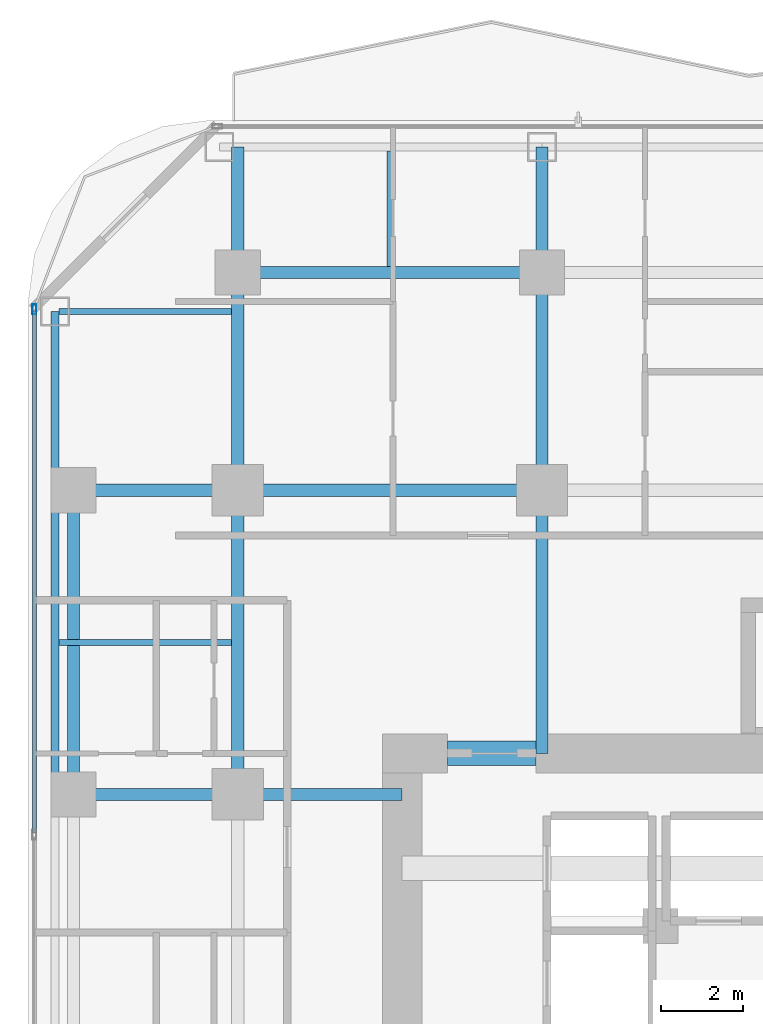
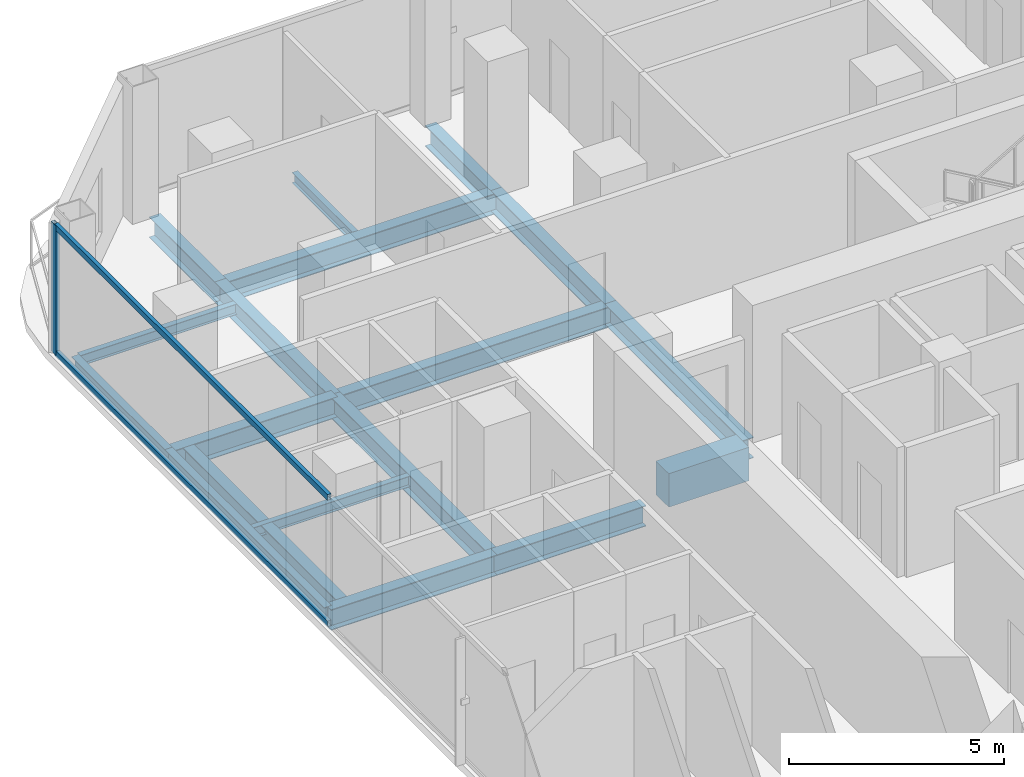
# One storey, part 9 of 29: 18 beams, 3 members, 1 element without a shape of its own.
"""IFC4 building model written with IfcOpenShell, lengths in metres."""

from ifc_helpers import new_model, si_unit, direction, frame, origin, origin_2d, place, context, subcontext, project, spatial, rectangle, hollow_rectangle, i_section, extrude, material, layer, layer_set, material_profile, profile_set, type_object, element, aggregate, save


model = new_model("IFC4")

# Units and contexts
model_context = context("Model", 3, precision=1e-05, world=origin(), true_north=direction((0.0, 1.0)))
body_context = subcontext(model_context, "Body", "Model", "MODEL_VIEW")
ifc_project = project(units=[si_unit("LENGTHUNIT", "METRE"), si_unit("AREAUNIT", "SQUARE_METRE"), si_unit("VOLUMEUNIT", "CUBIC_METRE"), si_unit("PLANEANGLEUNIT", "RADIAN"), si_unit("MASSUNIT", "GRAM", prefix="KILO")], contexts=[model_context])

# Site, building, storey
site_placement = place(None, origin())
site = spatial("IfcSite", under=ifc_project, at=site_placement, CompositionType="ELEMENT")
building_placement = place(site_placement, origin())
building = spatial("IfcBuilding", under=site, at=building_placement, Name="Khorvyn Point Tower", CompositionType="ELEMENT")
storey_placement = place(building_placement, frame((0.0, 0.0, 144.60009765625)))
storey = spatial("IfcBuildingStorey", under=building, at=storey_placement, Name="L36", CompositionType="ELEMENT", Elevation=144.60009765625)

# Curtain wall, members
ifc_material_1 = material(Name="Anodised aluminium 6063-T6 and laminated Low-E glass", Category="aluminium")
ifc_layer = layer(ifc_material_1, 0.18994140625)
ifc_layer_set = layer_set([ifc_layer], Name="Stick-Built Acoustic Curtain Wall CW-SYS-03")
curtain_wall_type = type_object("IfcCurtainWallType", Name="Stick-Built Acoustic Curtain Wall CW-SYS-03", PredefinedType="NOTDEFINED", material=ifc_layer_set)
curtain_wall_placement = place(storey_placement, origin())
curtain_wall = element("IfcCurtainWall", 1, at=curtain_wall_placement, inside=storey, type_object=curtain_wall_type, Name="Curtain Wall", PredefinedType="NOTDEFINED")
ifc_material_2 = material(Name="Anodised aluminium 6063-T6", Category="aluminium")
ifc_material_profile_1 = material_profile(ifc_material_2, hollow_rectangle(XDim=0.10009765625, YDim=0.239990234375, WallThickness=0.0048828125, at=origin_2d()))
ifc_profile_set_1 = profile_set([ifc_material_profile_1], Name="Anodised aluminium 6063-T6 ALU-MUL-100x240")
member_type_1 = type_object("IfcMemberType", Name="Anodised Aluminium 6063-T6 Mullion ALU-MUL-100x240", PredefinedType="MULLION", material=ifc_profile_set_1)
member_1_placement = place(storey_placement, frame((-19.75, 19.199951171875, 0.0), z_axis=(0.0, 0.0, 1.0), x_axis=(-1.0, 0.0, 0.0)))
member_1 = element("IfcMember", 2, at=member_1_placement, type_object=member_type_1, Name="Transom", PredefinedType="MULLION", context=body_context, shape_type="SweptSolid", body=[
    extrude(hollow_rectangle(XDim=0.10009765625, YDim=0.239990234375, WallThickness=0.0048828125, at=origin_2d()), origin(), (0.0, 0.0, 1.0), 3.679931640625),
])
ifc_material_profile_2 = material_profile(ifc_material_2, hollow_rectangle(XDim=0.10009765625, YDim=0.159912109375, WallThickness=0.00439453125, at=origin_2d()))
ifc_profile_set_2 = profile_set([ifc_material_profile_2], Name="Anodised aluminium 6063-T6 ALU-TRN-100x160")
member_type_2 = type_object("IfcMemberType", Name="Anodised Aluminium 6063-T6 Transom ALU-TRN-100x160", PredefinedType="USERDEFINED", material=ifc_profile_set_2)
member_2_placement = place(storey_placement, frame((-19.75, 6.466552734375, 0.0498046875), z_axis=(0.0, 1.0, 0.0), x_axis=(-1.0, 0.0, 0.0)))
member_2 = element("IfcMember", 3, at=member_2_placement, type_object=member_type_2, Name="Transom", ObjectType="TRANSOM", PredefinedType="USERDEFINED", context=body_context, shape_type="SweptSolid", body=[
    extrude(hollow_rectangle(XDim=0.10009765625, YDim=0.159912109375, WallThickness=0.00439453125, at=origin_2d()), origin(), (0.0, 0.0, 1.0), 12.683349609375),
])
member_3_placement = place(storey_placement, frame((-19.75, 6.466552734375, 3.6298828125), z_axis=(0.0, 1.0, 0.0), x_axis=(-1.0, 0.0, 0.0)))
member_3 = element("IfcMember", 4, at=member_3_placement, type_object=member_type_2, Name="Transom", ObjectType="TRANSOM", PredefinedType="USERDEFINED", context=body_context, shape_type="SweptSolid", body=[
    extrude(hollow_rectangle(XDim=0.10009765625, YDim=0.159912109375, WallThickness=0.00439453125, at=origin_2d()), origin(), (0.0, 0.0, 1.0), 12.683349609375),
])
aggregate(curtain_wall, [member_1, member_2, member_3])

# Beams
ifc_material_3 = material(Name="Concrete C50/60", Category="concrete")
ifc_material_profile_3 = material_profile(ifc_material_3, rectangle(XDim=0.60009765625, YDim=0.949951171875, at=origin_2d()))
ifc_profile_set_3 = profile_set([ifc_material_profile_3], Name="Concrete C50/60 RC600x950")
beam_type_1 = type_object("IfcBeamType", Name="Concrete C50/60 Beam RC600x950", PredefinedType="BEAM", material=ifc_profile_set_3)
beam_1_placement = place(storey_placement, frame((-9.699951171875, 8.39990234375, -0.695068359375), z_axis=(1.0, 0.0, 0.0), x_axis=(0.0, 1.0, 0.0)))
element("IfcBeam", 5, at=beam_1_placement, inside=storey, type_object=beam_type_1, Name="L36 Core Northwest Portal Coupling Beam", PredefinedType="BEAM", context=body_context, shape_type="SweptSolid", body=[
    extrude(rectangle(XDim=0.60009765625, YDim=0.949951171875, at=origin_2d()), origin(), (0.0, 0.0, 1.0), 2.14990234375),
])
ifc_material_4 = material(Name="Steel S355", Category="steel")
ifc_material_profile_4 = material_profile(ifc_material_4, i_section(OverallWidth=0.300048828125, OverallDepth=0.587890625, WebThickness=0.011962890625, FlangeThickness=0.02001953125, at=origin_2d()))
ifc_profile_set_4 = profile_set([ifc_material_profile_4], Name="Steel S355 H588x300x12x20")
beam_type_2 = type_object("IfcBeamType", Name="Steel S355 Beam H588x300x12x20", PredefinedType="BEAM", material=ifc_profile_set_4)
beam_2_placement = place(storey_placement, frame((-19.25, 14.800048828125, -0.51416015625), z_axis=(1.0, 0.0, 0.0), x_axis=(0.0, 1.0, 0.0)))
element("IfcBeam", 6, at=beam_2_placement, inside=storey, type_object=beam_type_2, Name="Beam", PredefinedType="BEAM", context=body_context, shape_type="SweptSolid", body=[
    extrude(i_section(OverallWidth=0.300048828125, OverallDepth=0.587890625, WebThickness=0.011962890625, FlangeThickness=0.02001953125, at=origin_2d()), origin(), (0.0, 0.0, 1.0), 4.449951171875),
])
beam_3_placement = place(storey_placement, frame((-14.800048828125, 14.800048828125, -0.51416015625), z_axis=(1.0, 0.0, 0.0), x_axis=(0.0, 1.0, 0.0)))
element("IfcBeam", 7, at=beam_3_placement, inside=storey, type_object=beam_type_2, Name="Beam", PredefinedType="BEAM", context=body_context, shape_type="SweptSolid", body=[
    extrude(i_section(OverallWidth=0.300048828125, OverallDepth=0.587890625, WebThickness=0.011962890625, FlangeThickness=0.02001953125, at=origin_2d()), origin(), (0.0, 0.0, 1.0), 7.400146484375),
])
beam_4_placement = place(storey_placement, frame((-19.25, 7.39990234375, -0.51416015625), z_axis=(1.0, 0.0, 0.0), x_axis=(0.0, 1.0, 0.0)))
element("IfcBeam", 8, at=beam_4_placement, inside=storey, type_object=beam_type_2, Name="Beam", PredefinedType="BEAM", context=body_context, shape_type="SweptSolid", body=[
    extrude(i_section(OverallWidth=0.300048828125, OverallDepth=0.587890625, WebThickness=0.011962890625, FlangeThickness=0.02001953125, at=origin_2d()), origin(), (0.0, 0.0, 1.0), 4.449951171875),
])
beam_5_placement = place(storey_placement, frame((-14.800048828125, 7.39990234375, -0.51416015625), z_axis=(1.0, 0.0, 0.0), x_axis=(0.0, 1.0, 0.0)))
element("IfcBeam", 9, at=beam_5_placement, inside=storey, type_object=beam_type_2, Name="Beam", PredefinedType="BEAM", context=body_context, shape_type="SweptSolid", body=[
    extrude(i_section(OverallWidth=0.300048828125, OverallDepth=0.587890625, WebThickness=0.011962890625, FlangeThickness=0.02001953125, at=origin_2d()), origin(), (0.0, 0.0, 1.0), 4.0),
])
for number, where, z_axis, x_axis, name in (
    (10, (-14.800048828125, 20.10009765625, -0.51416015625), (1.0, 0.0, 0.0), (0.0, 1.0, 0.0), "Beam"),
    (11, (-14.800048828125, 7.39990234375, -0.51416015625), (0.0, 1.0, 0.0), (-1.0, 0.0, 0.0), "Beam"),
):
    element("IfcBeam", number, at=place(storey_placement, frame(where, z_axis=z_axis, x_axis=x_axis)), inside=storey, type_object=beam_type_2, Name=name, PredefinedType="BEAM", context=body_context, shape_type="SweptSolid", body=[
        extrude(i_section(OverallWidth=0.300048828125, OverallDepth=0.587890625, WebThickness=0.011962890625, FlangeThickness=0.02001953125, at=origin_2d()), origin(), (0.0, 0.0, 1.0), 7.400146484375),
    ])
beam_6_placement = place(storey_placement, frame((-14.800048828125, 14.800048828125, -0.51416015625), z_axis=(0.0, 1.0, 0.0), x_axis=(-1.0, 0.0, 0.0)))
element("IfcBeam", 12, at=beam_6_placement, inside=storey, type_object=beam_type_2, Name="Beam", PredefinedType="BEAM", context=body_context, shape_type="SweptSolid", body=[
    extrude(i_section(OverallWidth=0.300048828125, OverallDepth=0.587890625, WebThickness=0.011962890625, FlangeThickness=0.02001953125, at=origin_2d()), origin(), (0.0, 0.0, 1.0), 5.300048828125),
])
beam_7_placement = place(storey_placement, frame((-14.800048828125, 20.10009765625, -0.51416015625), z_axis=(0.0, 1.0, 0.0), x_axis=(-1.0, 0.0, 0.0)))
element("IfcBeam", 13, at=beam_7_placement, inside=storey, type_object=beam_type_2, Name="Beam", PredefinedType="BEAM", context=body_context, shape_type="SweptSolid", body=[
    extrude(i_section(OverallWidth=0.300048828125, OverallDepth=0.587890625, WebThickness=0.011962890625, FlangeThickness=0.02001953125, at=origin_2d()), origin(), (0.0, 0.0, 1.0), 3.0498046875),
])
beam_8_placement = place(storey_placement, frame((-7.39990234375, 8.39990234375, -0.51416015625), z_axis=(0.0, 1.0, 0.0), x_axis=(-1.0, 0.0, 0.0)))
element("IfcBeam", 14, at=beam_8_placement, inside=storey, type_object=beam_type_2, Name="Beam", PredefinedType="BEAM", context=body_context, shape_type="SweptSolid", body=[
    extrude(i_section(OverallWidth=0.300048828125, OverallDepth=0.587890625, WebThickness=0.011962890625, FlangeThickness=0.02001953125, at=origin_2d()), origin(), (0.0, 0.0, 1.0), 6.400146484375),
])
beam_9_placement = place(storey_placement, frame((-7.39990234375, 14.800048828125, -0.51416015625), z_axis=(0.0, 1.0, 0.0), x_axis=(-1.0, 0.0, 0.0)))
element("IfcBeam", 15, at=beam_9_placement, inside=storey, type_object=beam_type_2, Name="Beam", PredefinedType="BEAM", context=body_context, shape_type="SweptSolid", body=[
    extrude(i_section(OverallWidth=0.300048828125, OverallDepth=0.587890625, WebThickness=0.011962890625, FlangeThickness=0.02001953125, at=origin_2d()), origin(), (0.0, 0.0, 1.0), 5.300048828125),
])
beam_10_placement = place(storey_placement, frame((-7.39990234375, 20.10009765625, -0.51416015625), z_axis=(0.0, 1.0, 0.0), x_axis=(-1.0, 0.0, 0.0)))
element("IfcBeam", 16, at=beam_10_placement, inside=storey, type_object=beam_type_2, Name="Beam", PredefinedType="BEAM", context=body_context, shape_type="SweptSolid", body=[
    extrude(i_section(OverallWidth=0.300048828125, OverallDepth=0.587890625, WebThickness=0.011962890625, FlangeThickness=0.02001953125, at=origin_2d()), origin(), (0.0, 0.0, 1.0), 3.0498046875),
])
beam_11_placement = place(storey_placement, frame((-18.800048828125, 7.39990234375, -0.51416015625), z_axis=(0.0, 1.0, 0.0), x_axis=(-1.0, 0.0, 0.0)))
element("IfcBeam", 17, at=beam_11_placement, inside=storey, type_object=beam_type_2, Name="Beam", PredefinedType="BEAM", context=body_context, shape_type="SweptSolid", body=[
    extrude(i_section(OverallWidth=0.300048828125, OverallDepth=0.587890625, WebThickness=0.011962890625, FlangeThickness=0.02001953125, at=origin_2d()), origin(), (0.0, 0.0, 1.0), 7.400146484375),
])
ifc_material_profile_5 = material_profile(ifc_material_4, i_section(OverallWidth=0.14990234375, OverallDepth=0.300048828125, WebThickness=0.006591796875, FlangeThickness=0.009033203125, at=origin_2d()))
ifc_profile_set_5 = profile_set([ifc_material_profile_5], Name="Steel S355 H300x150x6.5x9")
beam_type_3 = type_object("IfcBeamType", Name="Steel S355 Joist H300x150x6.5x9", PredefinedType="JOIST", material=ifc_profile_set_5)
beam_12_placement = place(storey_placement, frame((-19.14990234375, 11.10009765625, -0.3701171875), z_axis=(1.0, 0.0, 0.0), x_axis=(0.0, 1.0, 0.0)))
element("IfcBeam", 18, at=beam_12_placement, inside=storey, type_object=beam_type_3, Name="Beam", PredefinedType="JOIST", context=body_context, shape_type="SweptSolid", body=[
    extrude(i_section(OverallWidth=0.14990234375, OverallDepth=0.300048828125, WebThickness=0.006591796875, FlangeThickness=0.009033203125, at=origin_2d()), origin(), (0.0, 0.0, 1.0), 4.199951171875),
])
beam_13_placement = place(storey_placement, frame((-11.10009765625, 20.25, -0.3701171875), z_axis=(0.0, 1.0, 0.0), x_axis=(-1.0, 0.0, 0.0)))
element("IfcBeam", 19, at=beam_13_placement, inside=storey, type_object=beam_type_3, Name="Beam", PredefinedType="JOIST", context=body_context, shape_type="SweptSolid", body=[
    extrude(i_section(OverallWidth=0.14990234375, OverallDepth=0.300048828125, WebThickness=0.006591796875, FlangeThickness=0.009033203125, at=origin_2d()), origin(), (0.0, 0.0, 1.0), 2.800048828125),
])
beam_14_placement = place(storey_placement, frame((-19.14990234375, 19.14990234375, -0.3701171875), z_axis=(1.0, 0.0, 0.0), x_axis=(0.0, 1.0, 0.0)))
element("IfcBeam", 20, at=beam_14_placement, inside=storey, type_object=beam_type_3, Name="Beam", PredefinedType="JOIST", context=body_context, shape_type="SweptSolid", body=[
    extrude(i_section(OverallWidth=0.14990234375, OverallDepth=0.300048828125, WebThickness=0.006591796875, FlangeThickness=0.009033203125, at=origin_2d()), origin(), (0.0, 0.0, 1.0), 4.199951171875),
])
ifc_material_profile_6 = material_profile(ifc_material_4, i_section(OverallWidth=0.199951171875, OverallDepth=0.449951171875, WebThickness=0.009033203125, FlangeThickness=0.013916015625, at=origin_2d()))
ifc_profile_set_6 = profile_set([ifc_material_profile_6], Name="Steel S355 H450x200x9x14")
beam_type_4 = type_object("IfcBeamType", Name="Steel S355 Spandrel H450x200x9x14", PredefinedType="SPANDREL", material=ifc_profile_set_6)
beam_15_placement = place(storey_placement, frame((-19.25, 7.39990234375, -0.445068359375), z_axis=(0.0, 1.0, 0.0), x_axis=(-1.0, 0.0, 0.0)))
element("IfcBeam", 21, at=beam_15_placement, inside=storey, type_object=beam_type_4, Name="Beam", PredefinedType="SPANDREL", context=body_context, shape_type="SweptSolid", body=[
    extrude(i_section(OverallWidth=0.199951171875, OverallDepth=0.449951171875, WebThickness=0.009033203125, FlangeThickness=0.013916015625, at=origin_2d()), origin(), (0.0, 0.0, 1.0), 7.400146484375),
])
beam_16_placement = place(storey_placement, frame((-19.25, 14.800048828125, -0.445068359375), z_axis=(0.0, 1.0, 0.0), x_axis=(-1.0, 0.0, 0.0)))
element("IfcBeam", 22, at=beam_16_placement, inside=storey, type_object=beam_type_4, Name="Beam", PredefinedType="SPANDREL", context=body_context, shape_type="SweptSolid", body=[
    extrude(i_section(OverallWidth=0.199951171875, OverallDepth=0.449951171875, WebThickness=0.009033203125, FlangeThickness=0.013916015625, at=origin_2d()), origin(), (0.0, 0.0, 1.0), 4.349853515625),
])

save(model, "model.ifc")
